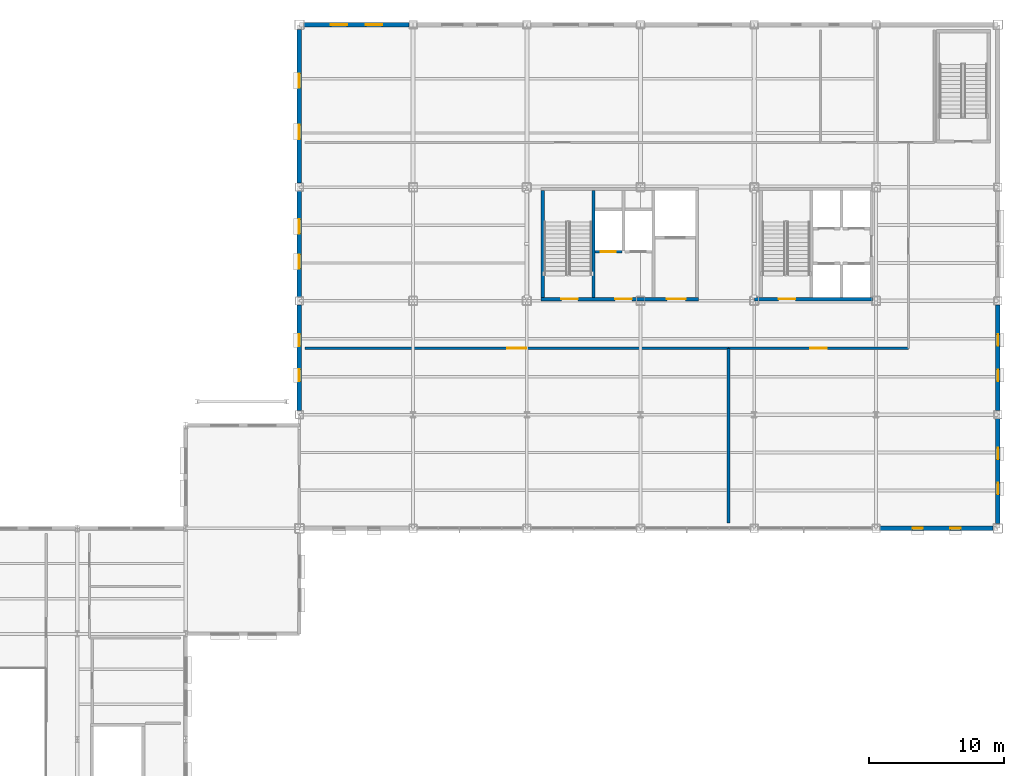
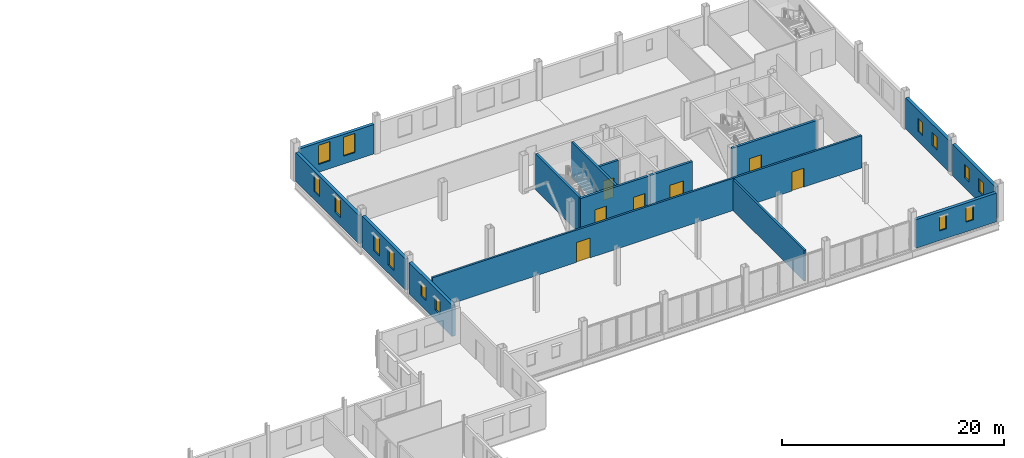
# One storey, part 38 of 45: 15 walls, 14 windows, 7 doors, 21 openings.
"""IFC4 building model written with IfcOpenShell, lengths in metres."""

from ifc_helpers import new_model, si_unit, direction, frame, frame_2d, origin, place, context, subcontext, project, spatial, rectangle, extrude, material, layer, layer_set, type_object, element, fill, save


model = new_model("IFC4")

# Units and contexts
model_context = context("Model", 3, precision=1e-05, world=origin(), true_north=direction((0.0, 1.0)))
body_context = subcontext(model_context, "Body", "Model", "MODEL_VIEW")
ifc_project = project(units=[si_unit("LENGTHUNIT", "METRE"), si_unit("AREAUNIT", "SQUARE_METRE"), si_unit("VOLUMEUNIT", "CUBIC_METRE"), si_unit("PLANEANGLEUNIT", "RADIAN"), si_unit("MASSUNIT", "GRAM", prefix="KILO")], contexts=[model_context])

# Site, building, storey
site_placement = place(None, origin())
site = spatial("IfcSite", under=ifc_project, at=site_placement, CompositionType="ELEMENT")
building_placement = place(site_placement, origin())
building = spatial("IfcBuilding", under=site, at=building_placement, Name="Yukiwa Park Conservatory and Herbarium", CompositionType="ELEMENT")
storey_placement = place(building_placement, frame((0.0, 0.0, 9.0)))
storey = spatial("IfcBuildingStorey", under=building, at=storey_placement, Name="L02", CompositionType="ELEMENT", Elevation=9.0)

# Wall
ifc_material_1 = material(Name="Concrete C40", Category="concrete")
ifc_layer_1 = layer(ifc_material_1, 0.219970703125)
ifc_layer_set_1 = layer_set([ifc_layer_1], Name="Concrete C40")
wall_type_1 = type_object("IfcWallType", Name="WL-CORE-RC220", PredefinedType="SHEAR", material=ifc_layer_set_1)
wall_1_placement = place(storey_placement, frame((138.110107421875, 95.050048828125, 0.0), z_axis=(0.0, 0.0, 1.0), x_axis=(0.0, 1.0, 0.0)))
element("IfcWall", 1, at=wall_1_placement, inside=storey, type_object=wall_type_1, Name="L02 core shear wall 245", PredefinedType="SHEAR", context=body_context, shape_type="SweptSolid", body=[
    extrude(rectangle(XDim=7.89990234375, YDim=0.219970703125, at=frame_2d((3.949951171875, 0.0))), origin(), (0.0, 0.0, 1.0), 3.93505859375),
])

# Wall, opening, door
wall_2_placement = place(storey_placement, frame((138.219970703125, 98.429931640625, 0.0), z_axis=(0.0, 0.0, 1.0), x_axis=(1.0, 0.0, 0.0)))
wall_2 = element("IfcWall", 2, at=wall_2_placement, inside=storey, type_object=wall_type_1, Name="L02 core shear wall 249", PredefinedType="SHEAR", context=body_context, shape_type="SweptSolid", body=[
    extrude(rectangle(XDim=2.0, YDim=0.219970703125, at=frame_2d((1.0, 0.0))), origin(), (0.0, 0.0, 1.0), 3.93505859375),
])
opening_1_placement = place(wall_2_placement, frame((0.449951171875, 0.0, 0.0)))
opening_1 = element("IfcOpeningElement", 3, at=opening_1_placement, cuts=wall_2, Name="Opening LD-01", PredefinedType="OPENING", context=body_context, shape_type="SweptSolid", body=[
    extrude(rectangle(XDim=1.10009765625, YDim=2.14990234375, at=frame_2d((0.550048828125, 1.074951171875))), frame((0.0, 0.1201171875, 0.0), z_axis=(0.0, -1.0, 0.0), x_axis=(1.0, 0.0, 0.0)), (0.0, 0.0, 1.0), 0.239990234375),
])
ifc_material_2 = material(Name="Steel Q235B", Category="steel")
door_type_1 = type_object("IfcDoorType", Name="DR-LIFT-LD1100", OperationType="SLIDING_TO_LEFT", PredefinedType="DOOR", material=ifc_material_2)
door_1_placement = place(opening_1_placement, origin())
door_1 = element("IfcDoor", 4, at=door_1_placement, inside=storey, type_object=door_type_1, Name="L02 Firefighting Lift FL1 sliding landing door", OperationType="SLIDING_TO_LEFT", OverallHeight=2.14990234375, OverallWidth=1.10009765625, PredefinedType="DOOR", context=body_context, shape_type="SweptSolid", body=[
    extrude(rectangle(XDim=1.10009765625, YDim=2.14990234375, at=frame_2d((0.550048828125, 1.074951171875))), frame((0.0, 0.02490234375, 0.0), z_axis=(0.0, -1.0, 0.0), x_axis=(1.0, 0.0, 0.0)), (0.0, 0.0, 1.0), 0.050048828125),
])
fill(opening_1, door_1)

# Wall, openings, doors
ifc_material_3 = material(Name="Concrete C50", Category="concrete")
ifc_layer_2 = layer(ifc_material_3, 0.239990234375)
ifc_layer_set_2 = layer_set([ifc_layer_2], Name="Concrete C50")
wall_type_2 = type_object("IfcWallType", Name="WL-CORE-RC240", PredefinedType="SHEAR", material=ifc_layer_set_2)
wall_3_placement = place(storey_placement, frame((134.25, 94.929931640625, 0.0), z_axis=(0.0, 0.0, 1.0), x_axis=(1.0, 0.0, 0.0)))
wall_3 = element("IfcWall", 5, at=wall_3_placement, inside=storey, type_object=wall_type_2, Name="L02 core shear wall 242", PredefinedType="SHEAR", context=body_context, shape_type="SweptSolid", body=[
    extrude(rectangle(XDim=11.64990234375, YDim=0.239990234375, at=frame_2d((5.824951171875, 0.0))), origin(), (0.0, 0.0, 1.0), 3.93505859375),
])
opening_2_placement = place(wall_3_placement, frame((1.5, 0.0, 0.0)))
opening_2 = element("IfcOpeningElement", 6, at=opening_2_placement, cuts=wall_3, Name="Opening SD-01", PredefinedType="OPENING", context=body_context, shape_type="SweptSolid", body=[
    extrude(rectangle(XDim=1.219970703125, YDim=2.179931640625, at=frame_2d((0.60986328125, 1.08984375))), frame((0.0, 0.1298828125, 0.0), z_axis=(0.0, -1.0, 0.0), x_axis=(1.0, 0.0, 0.0)), (0.0, 0.0, 1.0), 0.260009765625),
])
opening_3_placement = place(wall_3_placement, frame((5.47998046875, 0.0, 0.0)))
opening_3 = element("IfcOpeningElement", 7, at=opening_3_placement, cuts=wall_3, Name="Opening FD-02", PredefinedType="OPENING", context=body_context, shape_type="SweptSolid", body=[
    extrude(rectangle(XDim=1.239990234375, YDim=2.14990234375, at=frame_2d((0.6201171875, 1.074951171875))), frame((0.0, 0.1298828125, 0.0), z_axis=(0.0, -1.0, 0.0), x_axis=(1.0, 0.0, 0.0)), (0.0, 0.0, 1.0), 0.260009765625),
])
opening_4_placement = place(wall_3_placement, frame((9.300048828125, 0.0, 0.0)))
opening_4 = element("IfcOpeningElement", 8, at=opening_4_placement, cuts=wall_3, Name="Opening FD-06", PredefinedType="OPENING", context=body_context, shape_type="SweptSolid", body=[
    extrude(rectangle(XDim=1.3798828125, YDim=2.14990234375, at=frame_2d((0.68994140625, 1.074951171875))), frame((0.0, 0.1298828125, 0.0), z_axis=(0.0, -1.0, 0.0), x_axis=(1.0, 0.0, 0.0)), (0.0, 0.0, 1.0), 0.260009765625),
])
ifc_material_4 = material(Name="Steel Q235B", Category="steel")
door_type_2 = type_object("IfcDoorType", Name="DR-FIRE-FD60-1400", OperationType="DOUBLE_DOOR_SINGLE_SWING", PredefinedType="DOOR", material=ifc_material_4)
door_2_placement = place(opening_4_placement, frame((1.3798828125, 0.0, 0.0), z_axis=(0.0, 0.0, 1.0), x_axis=(-1.0, 0.0, 0.0)))
door_2 = element("IfcDoor", 9, at=door_2_placement, inside=storey, type_object=door_type_2, Name="L02 Goods Lift Lobby double fire door", OperationType="DOUBLE_DOOR_SINGLE_SWING", OverallHeight=2.14990234375, OverallWidth=1.3798828125, PredefinedType="DOOR", context=body_context, shape_type="SweptSolid", body=[
    extrude(rectangle(XDim=1.3798828125, YDim=2.14990234375, at=frame_2d((0.68994140625, 1.074951171875))), frame((0.0, 0.02490234375, 0.0), z_axis=(0.0, -1.0, 0.0), x_axis=(1.0, 0.0, 0.0)), (0.0, 0.0, 1.0), 0.050048828125),
])
fill(opening_4, door_2)
ifc_material_5 = material(Name="Steel Q235B", Category="steel")
door_type_3 = type_object("IfcDoorType", Name="DR-FIRE-FD90-1200", OperationType="SINGLE_SWING_RIGHT", PredefinedType="DOOR", material=ifc_material_5)
door_3_placement = place(opening_3_placement, frame((1.239990234375, 0.0, 0.0), z_axis=(0.0, 0.0, 1.0), x_axis=(-1.0, 0.0, 0.0)))
door_3 = element("IfcDoor", 10, at=door_3_placement, inside=storey, type_object=door_type_3, Name="L02 Firefighting Lift Lobby fire door", OperationType="SINGLE_SWING_RIGHT", OverallHeight=2.14990234375, OverallWidth=1.239990234375, PredefinedType="DOOR", context=body_context, shape_type="SweptSolid", body=[
    extrude(rectangle(XDim=1.239990234375, YDim=2.14990234375, at=frame_2d((0.6201171875, 1.074951171875))), frame((0.0, 0.02490234375, 0.0), z_axis=(0.0, -1.0, 0.0), x_axis=(1.0, 0.0, 0.0)), (0.0, 0.0, 1.0), 0.050048828125),
])
fill(opening_3, door_3)
ifc_material_6 = material(Name="Steel Q235B", Category="steel")
door_type_4 = type_object("IfcDoorType", Name="DR-STAIR-FD90-1200", OperationType="SINGLE_SWING_LEFT", PredefinedType="DOOR", material=ifc_material_6)
door_4_placement = place(opening_2_placement, origin())
door_4 = element("IfcDoor", 11, at=door_4_placement, inside=storey, type_object=door_type_4, Name="L02 Stairwell ST-T1 fire door", OperationType="SINGLE_SWING_LEFT", OverallHeight=2.179931640625, OverallWidth=1.219970703125, PredefinedType="DOOR", context=body_context, shape_type="SweptSolid", body=[
    extrude(rectangle(XDim=1.219970703125, YDim=2.179931640625, at=frame_2d((0.60986328125, 1.08984375))), frame((0.0, 0.02490234375, 0.0), z_axis=(0.0, -1.0, 0.0), x_axis=(1.0, 0.0, 0.0)), (0.0, 0.0, 1.0), 0.050048828125),
])
fill(opening_2, door_4)

# Wall
wall_4_placement = place(storey_placement, frame((134.3701171875, 95.050048828125, 0.0), z_axis=(0.0, 0.0, 1.0), x_axis=(0.0, 1.0, 0.0)))
element("IfcWall", 12, at=wall_4_placement, inside=storey, type_object=wall_type_2, Name="L02 core shear wall 244", PredefinedType="SHEAR", context=body_context, shape_type="SweptSolid", body=[
    extrude(rectangle(XDim=7.89990234375, YDim=0.239990234375, at=frame_2d((3.949951171875, 0.0))), origin(), (0.0, 0.0, 1.0), 3.93505859375),
])

# Wall, opening, door
wall_5_placement = place(storey_placement, frame((150.02001953125, 94.929931640625, 0.0), z_axis=(0.0, 0.0, 1.0), x_axis=(1.0, 0.0, 0.0)))
wall_5 = element("IfcWall", 13, at=wall_5_placement, inside=storey, type_object=wall_type_2, Name="L02 core shear wall 254", PredefinedType="SHEAR", context=body_context, shape_type="SweptSolid", body=[
    extrude(rectangle(XDim=8.77001953125, YDim=0.239990234375, at=frame_2d((4.385009765625, 0.0))), origin(), (0.0, 0.0, 1.0), 3.93505859375),
])
opening_5_placement = place(wall_5_placement, frame((1.7900390625, 0.0, 0.0)))
opening_5 = element("IfcOpeningElement", 14, at=opening_5_placement, cuts=wall_5, Name="Opening SD-01", PredefinedType="OPENING", context=body_context, shape_type="SweptSolid", body=[
    extrude(rectangle(XDim=1.219970703125, YDim=2.179931640625, at=frame_2d((0.60986328125, 1.08984375))), frame((0.0, 0.1298828125, 0.0), z_axis=(0.0, -1.0, 0.0), x_axis=(1.0, 0.0, 0.0)), (0.0, 0.0, 1.0), 0.260009765625),
])
door_5_placement = place(opening_5_placement, origin())
door_5 = element("IfcDoor", 15, at=door_5_placement, inside=storey, type_object=door_type_4, Name="L02 Stairwell ST-T2 fire door", OperationType="SINGLE_SWING_LEFT", OverallHeight=2.179931640625, OverallWidth=1.219970703125, PredefinedType="DOOR", context=body_context, shape_type="SweptSolid", body=[
    extrude(rectangle(XDim=1.219970703125, YDim=2.179931640625, at=frame_2d((0.60986328125, 1.08984375))), frame((0.0, 0.02490234375, 0.0), z_axis=(0.0, -1.0, 0.0), x_axis=(1.0, 0.0, 0.0)), (0.0, 0.0, 1.0), 0.050048828125),
])
fill(opening_5, door_5)

# Wall, openings, windows
ifc_material_7 = material(Name="Pale Granite Cladding", Category="masonry")
ifc_layer_3 = layer(ifc_material_7, 0.320068359375)
ifc_layer_set_3 = layer_set([ifc_layer_3], Name="Pale Granite Cladding")
wall_type_3 = type_object("IfcWallType", Name="WL-EXT-GRAN-320", PredefinedType="SOLIDWALL", material=ifc_layer_set_3)
wall_6_placement = place(storey_placement, frame((159.300048828125, 78.0, 0.0), z_axis=(0.0, 0.0, 1.0), x_axis=(1.0, 0.0, 0.0)))
wall_6 = element("IfcWall", 16, at=wall_6_placement, inside=storey, type_object=wall_type_3, Name="L02 exterior envelope wall 213", PredefinedType="SOLIDWALL", context=body_context, shape_type="SweptSolid", body=[
    extrude(rectangle(XDim=8.349853515625, YDim=0.320068359375, at=frame_2d((4.1748046875, 0.0))), origin(), (0.0, 0.0, 1.0), 3.14306640625),
])
opening_6_placement = place(wall_6_placement, frame((2.407958984375, 0.0, 1.050048828125)))
opening_6 = element("IfcOpeningElement", 17, at=opening_6_placement, cuts=wall_6, Name="Opening W-10", PredefinedType="OPENING", context=body_context, shape_type="SweptSolid", body=[
    extrude(rectangle(XDim=0.75, YDim=1.60009765625, at=frame_2d((0.375, 0.800048828125))), frame((0.0, 0.169921875, 0.0), z_axis=(0.0, -1.0, 0.0), x_axis=(1.0, 0.0, 0.0)), (0.0, 0.0, 1.0), 0.340087890625),
])
opening_7_placement = place(wall_6_placement, frame((5.19189453125, 0.0, 1.050048828125)))
opening_7 = element("IfcOpeningElement", 18, at=opening_7_placement, cuts=wall_6, Name="Opening W-10", PredefinedType="OPENING", context=body_context, shape_type="SweptSolid", body=[
    extrude(rectangle(XDim=0.75, YDim=1.60009765625, at=frame_2d((0.375, 0.800048828125))), frame((0.0, 0.169921875, 0.0), z_axis=(0.0, -1.0, 0.0), x_axis=(1.0, 0.0, 0.0)), (0.0, 0.0, 1.0), 0.340087890625),
])
ifc_material_8 = material(Name="Triple Low-E Insulated Glass", Category="glass")
window_type_1 = type_object("IfcWindowType", Name="WN-HB-0750X1600", PartitioningType="SINGLE_PANEL", PredefinedType="WINDOW", material=ifc_material_8)
window_1_placement = place(opening_6_placement, origin())
window_1 = element("IfcWindow", 19, at=window_1_placement, inside=storey, type_object=window_type_1, Name="L02 deep-reveal triple-glazed window 131", OverallHeight=1.60009765625, OverallWidth=0.75, PartitioningType="SINGLE_PANEL", PredefinedType="WINDOW", context=body_context, shape_type="SweptSolid", body=[
    extrude(rectangle(XDim=0.75, YDim=1.60009765625, at=frame_2d((0.375, 0.800048828125))), frame((0.0, 0.030029296875, 0.0), z_axis=(0.0, -1.0, 0.0), x_axis=(1.0, 0.0, 0.0)), (0.0, 0.0, 1.0), 0.06005859375),
])
fill(opening_6, window_1)
window_2_placement = place(opening_7_placement, origin())
window_2 = element("IfcWindow", 20, at=window_2_placement, inside=storey, type_object=window_type_1, Name="L02 deep-reveal triple-glazed window 132", OverallHeight=1.60009765625, OverallWidth=0.75, PartitioningType="SINGLE_PANEL", PredefinedType="WINDOW", context=body_context, shape_type="SweptSolid", body=[
    extrude(rectangle(XDim=0.75, YDim=1.60009765625, at=frame_2d((0.375, 0.800048828125))), frame((0.0, 0.030029296875, 0.0), z_axis=(0.0, -1.0, 0.0), x_axis=(1.0, 0.0, 0.0)), (0.0, 0.0, 1.0), 0.06005859375),
])
fill(opening_7, window_2)

wall_7_placement = place(storey_placement, frame((168.0, 78.35009765625, 0.0), z_axis=(0.0, 0.0, 1.0), x_axis=(0.0, 1.0, 0.0)))
wall_7 = element("IfcWall", 21, at=wall_7_placement, inside=storey, type_object=wall_type_3, Name="L02 exterior envelope wall 214", PredefinedType="SOLIDWALL", context=body_context, shape_type="SweptSolid", body=[
    extrude(rectangle(XDim=7.75, YDim=0.320068359375, at=frame_2d((3.875, 0.0))), origin(), (0.0, 0.0, 1.0), 3.43505859375),
])
opening_8_placement = place(wall_7_placement, frame((2.157958984375, 0.0, 1.10009765625)))
opening_8 = element("IfcOpeningElement", 22, at=opening_8_placement, cuts=wall_7, Name="Opening W-27", PredefinedType="OPENING", context=body_context, shape_type="SweptSolid", body=[
    extrude(rectangle(XDim=0.85009765625, YDim=1.449951171875, at=frame_2d((0.425048828125, 0.72509765625))), frame((0.0, 0.169921875, 0.0), z_axis=(0.0, -1.0, 0.0), x_axis=(1.0, 0.0, 0.0)), (0.0, 0.0, 1.0), 0.340087890625),
])
opening_9_placement = place(wall_7_placement, frame((4.741943359375, 0.0, 1.10009765625)))
opening_9 = element("IfcOpeningElement", 23, at=opening_9_placement, cuts=wall_7, Name="Opening W-27", PredefinedType="OPENING", context=body_context, shape_type="SweptSolid", body=[
    extrude(rectangle(XDim=0.85009765625, YDim=1.449951171875, at=frame_2d((0.425048828125, 0.72509765625))), frame((0.0, 0.169921875, 0.0), z_axis=(0.0, -1.0, 0.0), x_axis=(1.0, 0.0, 0.0)), (0.0, 0.0, 1.0), 0.340087890625),
])
ifc_material_9 = material(Name="Triple Low-E Insulated Glass", Category="glass")
window_type_2 = type_object("IfcWindowType", Name="WN-HB-0850X1450", PartitioningType="SINGLE_PANEL", PredefinedType="WINDOW", material=ifc_material_9)
window_3_placement = place(opening_8_placement, origin())
window_3 = element("IfcWindow", 24, at=window_3_placement, inside=storey, type_object=window_type_2, Name="L02 deep-reveal triple-glazed window 133", OverallHeight=1.449951171875, OverallWidth=0.85009765625, PartitioningType="SINGLE_PANEL", PredefinedType="WINDOW", context=body_context, shape_type="SweptSolid", body=[
    extrude(rectangle(XDim=0.85009765625, YDim=1.449951171875, at=frame_2d((0.425048828125, 0.72509765625))), frame((0.0, 0.030029296875, 0.0), z_axis=(0.0, -1.0, 0.0), x_axis=(1.0, 0.0, 0.0)), (0.0, 0.0, 1.0), 0.06005859375),
])
fill(opening_8, window_3)
window_4_placement = place(opening_9_placement, origin())
window_4 = element("IfcWindow", 25, at=window_4_placement, inside=storey, type_object=window_type_2, Name="L02 deep-reveal triple-glazed window 134", OverallHeight=1.449951171875, OverallWidth=0.85009765625, PartitioningType="SINGLE_PANEL", PredefinedType="WINDOW", context=body_context, shape_type="SweptSolid", body=[
    extrude(rectangle(XDim=0.85009765625, YDim=1.449951171875, at=frame_2d((0.425048828125, 0.72509765625))), frame((0.0, 0.030029296875, 0.0), z_axis=(0.0, -1.0, 0.0), x_axis=(1.0, 0.0, 0.0)), (0.0, 0.0, 1.0), 0.06005859375),
])
fill(opening_9, window_4)

wall_8_placement = place(storey_placement, frame((168.0, 86.699951171875, 0.0), z_axis=(0.0, 0.0, 1.0), x_axis=(0.0, 1.0, 0.0)))
wall_8 = element("IfcWall", 26, at=wall_8_placement, inside=storey, type_object=wall_type_3, Name="L02 exterior envelope wall 215", PredefinedType="SOLIDWALL", context=body_context, shape_type="SweptSolid", body=[
    extrude(rectangle(XDim=7.800048828125, YDim=0.320068359375, at=frame_2d((3.89990234375, 0.0))), origin(), (0.0, 0.0, 1.0), 3.43505859375),
])
opening_10_placement = place(wall_8_placement, frame((2.175048828125, 0.0, 1.10009765625)))
opening_10 = element("IfcOpeningElement", 27, at=opening_10_placement, cuts=wall_8, Name="Opening W-27", PredefinedType="OPENING", context=body_context, shape_type="SweptSolid", body=[
    extrude(rectangle(XDim=0.85009765625, YDim=1.449951171875, at=frame_2d((0.425048828125, 0.72509765625))), frame((0.0, 0.169921875, 0.0), z_axis=(0.0, -1.0, 0.0), x_axis=(1.0, 0.0, 0.0)), (0.0, 0.0, 1.0), 0.340087890625),
])
opening_11_placement = place(wall_8_placement, frame((4.77490234375, 0.0, 1.10009765625)))
opening_11 = element("IfcOpeningElement", 28, at=opening_11_placement, cuts=wall_8, Name="Opening W-27", PredefinedType="OPENING", context=body_context, shape_type="SweptSolid", body=[
    extrude(rectangle(XDim=0.85009765625, YDim=1.449951171875, at=frame_2d((0.425048828125, 0.72509765625))), frame((0.0, 0.169921875, 0.0), z_axis=(0.0, -1.0, 0.0), x_axis=(1.0, 0.0, 0.0)), (0.0, 0.0, 1.0), 0.340087890625),
])
window_5_placement = place(opening_10_placement, origin())
window_5 = element("IfcWindow", 29, at=window_5_placement, inside=storey, type_object=window_type_2, Name="L02 deep-reveal triple-glazed window 135", OverallHeight=1.449951171875, OverallWidth=0.85009765625, PartitioningType="SINGLE_PANEL", PredefinedType="WINDOW", context=body_context, shape_type="SweptSolid", body=[
    extrude(rectangle(XDim=0.85009765625, YDim=1.449951171875, at=frame_2d((0.425048828125, 0.72509765625))), frame((0.0, 0.030029296875, 0.0), z_axis=(0.0, -1.0, 0.0), x_axis=(1.0, 0.0, 0.0)), (0.0, 0.0, 1.0), 0.06005859375),
])
fill(opening_10, window_5)
window_6_placement = place(opening_11_placement, origin())
window_6 = element("IfcWindow", 30, at=window_6_placement, inside=storey, type_object=window_type_2, Name="L02 deep-reveal triple-glazed window 136", OverallHeight=1.449951171875, OverallWidth=0.85009765625, PartitioningType="SINGLE_PANEL", PredefinedType="WINDOW", context=body_context, shape_type="SweptSolid", body=[
    extrude(rectangle(XDim=0.85009765625, YDim=1.449951171875, at=frame_2d((0.425048828125, 0.72509765625))), frame((0.0, 0.030029296875, 0.0), z_axis=(0.0, -1.0, 0.0), x_axis=(1.0, 0.0, 0.0)), (0.0, 0.0, 1.0), 0.06005859375),
])
fill(opening_11, window_6)

wall_9_placement = place(storey_placement, frame((124.5, 115.199951171875, 0.0), z_axis=(0.0, 0.0, 1.0), x_axis=(-1.0, 0.0, 0.0)))
wall_9 = element("IfcWall", 31, at=wall_9_placement, inside=storey, type_object=wall_type_3, Name="L02 exterior envelope wall 223", PredefinedType="SOLIDWALL", context=body_context, shape_type="SweptSolid", body=[
    extrude(rectangle(XDim=7.75, YDim=0.320068359375, at=frame_2d((3.875, 0.0))), origin(), (0.0, 0.0, 1.0), 3.242919921875),
])
opening_12_placement = place(wall_9_placement, frame((1.98291015625, 0.0, 0.85009765625)))
opening_12 = element("IfcOpeningElement", 32, at=opening_12_placement, cuts=wall_9, Name="Opening W-03", PredefinedType="OPENING", context=body_context, shape_type="SweptSolid", body=[
    extrude(rectangle(XDim=1.199951171875, YDim=2.10009765625, at=frame_2d((0.60009765625, 1.050048828125))), frame((0.0, 0.169921875, 0.0), z_axis=(0.0, -1.0, 0.0), x_axis=(1.0, 0.0, 0.0)), (0.0, 0.0, 1.0), 0.340087890625),
])
opening_13_placement = place(wall_9_placement, frame((4.56689453125, 0.0, 0.85009765625)))
opening_13 = element("IfcOpeningElement", 33, at=opening_13_placement, cuts=wall_9, Name="Opening W-03", PredefinedType="OPENING", context=body_context, shape_type="SweptSolid", body=[
    extrude(rectangle(XDim=1.199951171875, YDim=2.10009765625, at=frame_2d((0.60009765625, 1.050048828125))), frame((0.0, 0.169921875, 0.0), z_axis=(0.0, -1.0, 0.0), x_axis=(1.0, 0.0, 0.0)), (0.0, 0.0, 1.0), 0.340087890625),
])
ifc_material_10 = material(Name="Triple Low-E Insulated Glass", Category="glass")
window_type_3 = type_object("IfcWindowType", Name="WN-TW-1200X2100", PartitioningType="SINGLE_PANEL", PredefinedType="WINDOW", material=ifc_material_10)
window_7_placement = place(opening_12_placement, origin())
window_7 = element("IfcWindow", 34, at=window_7_placement, inside=storey, type_object=window_type_3, Name="L02 deep-reveal triple-glazed window 146", OverallHeight=2.10009765625, OverallWidth=1.199951171875, PartitioningType="SINGLE_PANEL", PredefinedType="WINDOW", context=body_context, shape_type="SweptSolid", body=[
    extrude(rectangle(XDim=1.199951171875, YDim=2.10009765625, at=frame_2d((0.60009765625, 1.050048828125))), frame((0.0, 0.030029296875, 0.0), z_axis=(0.0, -1.0, 0.0), x_axis=(1.0, 0.0, 0.0)), (0.0, 0.0, 1.0), 0.06005859375),
])
fill(opening_12, window_7)
window_8_placement = place(opening_13_placement, origin())
window_8 = element("IfcWindow", 35, at=window_8_placement, inside=storey, type_object=window_type_3, Name="L02 deep-reveal triple-glazed window 147", OverallHeight=2.10009765625, OverallWidth=1.199951171875, PartitioningType="SINGLE_PANEL", PredefinedType="WINDOW", context=body_context, shape_type="SweptSolid", body=[
    extrude(rectangle(XDim=1.199951171875, YDim=2.10009765625, at=frame_2d((0.60009765625, 1.050048828125))), frame((0.0, 0.030029296875, 0.0), z_axis=(0.0, -1.0, 0.0), x_axis=(1.0, 0.0, 0.0)), (0.0, 0.0, 1.0), 0.06005859375),
])
fill(opening_13, window_8)

wall_10_placement = place(storey_placement, frame((116.39990234375, 114.85009765625, 0.0), z_axis=(0.0, 0.0, 1.0), x_axis=(0.0, -1.0, 0.0)))
wall_10 = element("IfcWall", 36, at=wall_10_placement, inside=storey, type_object=wall_type_3, Name="L02 exterior envelope wall 224", PredefinedType="SOLIDWALL", context=body_context, shape_type="SweptSolid", body=[
    extrude(rectangle(XDim=11.35009765625, YDim=0.320068359375, at=frame_2d((5.675048828125, 0.0))), origin(), (0.0, 0.0, 1.0), 3.14306640625),
])
opening_14_placement = place(wall_10_placement, frame((3.258056640625, 0.0, 0.89990234375)))
opening_14 = element("IfcOpeningElement", 37, at=opening_14_placement, cuts=wall_10, Name="Opening W-02", PredefinedType="OPENING", context=body_context, shape_type="SweptSolid", body=[
    extrude(rectangle(XDim=1.050048828125, YDim=1.949951171875, at=frame_2d((0.52490234375, 0.97509765625))), frame((0.0, 0.169921875, 0.0), z_axis=(0.0, -1.0, 0.0), x_axis=(1.0, 0.0, 0.0)), (0.0, 0.0, 1.0), 0.340087890625),
])
opening_15_placement = place(wall_10_placement, frame((7.0419921875, 0.0, 0.89990234375)))
opening_15 = element("IfcOpeningElement", 38, at=opening_15_placement, cuts=wall_10, Name="Opening W-02", PredefinedType="OPENING", context=body_context, shape_type="SweptSolid", body=[
    extrude(rectangle(XDim=1.050048828125, YDim=1.949951171875, at=frame_2d((0.52490234375, 0.97509765625))), frame((0.0, 0.169921875, 0.0), z_axis=(0.0, -1.0, 0.0), x_axis=(1.0, 0.0, 0.0)), (0.0, 0.0, 1.0), 0.340087890625),
])
ifc_material_11 = material(Name="Triple Low-E Insulated Glass", Category="glass")
window_type_4 = type_object("IfcWindowType", Name="WN-TW-1050X1950", PartitioningType="SINGLE_PANEL", PredefinedType="WINDOW", material=ifc_material_11)
window_9_placement = place(opening_14_placement, origin())
window_9 = element("IfcWindow", 39, at=window_9_placement, inside=storey, type_object=window_type_4, Name="L02 deep-reveal triple-glazed window 148", OverallHeight=1.949951171875, OverallWidth=1.050048828125, PartitioningType="SINGLE_PANEL", PredefinedType="WINDOW", context=body_context, shape_type="SweptSolid", body=[
    extrude(rectangle(XDim=1.050048828125, YDim=1.949951171875, at=frame_2d((0.52490234375, 0.97509765625))), frame((0.0, 0.030029296875, 0.0), z_axis=(0.0, -1.0, 0.0), x_axis=(1.0, 0.0, 0.0)), (0.0, 0.0, 1.0), 0.06005859375),
])
fill(opening_14, window_9)
window_10_placement = place(opening_15_placement, origin())
window_10 = element("IfcWindow", 40, at=window_10_placement, inside=storey, type_object=window_type_4, Name="L02 deep-reveal triple-glazed window 149", OverallHeight=1.949951171875, OverallWidth=1.050048828125, PartitioningType="SINGLE_PANEL", PredefinedType="WINDOW", context=body_context, shape_type="SweptSolid", body=[
    extrude(rectangle(XDim=1.050048828125, YDim=1.949951171875, at=frame_2d((0.52490234375, 0.97509765625))), frame((0.0, 0.030029296875, 0.0), z_axis=(0.0, -1.0, 0.0), x_axis=(1.0, 0.0, 0.0)), (0.0, 0.0, 1.0), 0.06005859375),
])
fill(opening_15, window_10)

wall_11_placement = place(storey_placement, frame((116.39990234375, 102.89990234375, 0.0), z_axis=(0.0, 0.0, 1.0), x_axis=(0.0, -1.0, 0.0)))
wall_11 = element("IfcWall", 41, at=wall_11_placement, inside=storey, type_object=wall_type_3, Name="L02 exterior envelope wall 225", PredefinedType="SOLIDWALL", context=body_context, shape_type="SweptSolid", body=[
    extrude(rectangle(XDim=7.7998046875, YDim=0.320068359375, at=frame_2d((3.89990234375, 0.0))), origin(), (0.0, 0.0, 1.0), 3.43505859375),
])
opening_16_placement = place(wall_11_placement, frame((2.074951171875, 0.0, 0.89990234375)))
opening_16 = element("IfcOpeningElement", 42, at=opening_16_placement, cuts=wall_11, Name="Opening W-02", PredefinedType="OPENING", context=body_context, shape_type="SweptSolid", body=[
    extrude(rectangle(XDim=1.050048828125, YDim=1.949951171875, at=frame_2d((0.52490234375, 0.97509765625))), frame((0.0, 0.169921875, 0.0), z_axis=(0.0, -1.0, 0.0), x_axis=(1.0, 0.0, 0.0)), (0.0, 0.0, 1.0), 0.340087890625),
])
opening_17_placement = place(wall_11_placement, frame((4.675048828125, 0.0, 0.89990234375)))
opening_17 = element("IfcOpeningElement", 43, at=opening_17_placement, cuts=wall_11, Name="Opening W-02", PredefinedType="OPENING", context=body_context, shape_type="SweptSolid", body=[
    extrude(rectangle(XDim=1.050048828125, YDim=1.949951171875, at=frame_2d((0.52490234375, 0.97509765625))), frame((0.0, 0.169921875, 0.0), z_axis=(0.0, -1.0, 0.0), x_axis=(1.0, 0.0, 0.0)), (0.0, 0.0, 1.0), 0.340087890625),
])
window_11_placement = place(opening_16_placement, origin())
window_11 = element("IfcWindow", 44, at=window_11_placement, inside=storey, type_object=window_type_4, Name="L02 deep-reveal triple-glazed window 150", OverallHeight=1.949951171875, OverallWidth=1.050048828125, PartitioningType="SINGLE_PANEL", PredefinedType="WINDOW", context=body_context, shape_type="SweptSolid", body=[
    extrude(rectangle(XDim=1.050048828125, YDim=1.949951171875, at=frame_2d((0.52490234375, 0.97509765625))), frame((0.0, 0.030029296875, 0.0), z_axis=(0.0, -1.0, 0.0), x_axis=(1.0, 0.0, 0.0)), (0.0, 0.0, 1.0), 0.06005859375),
])
fill(opening_16, window_11)
window_12_placement = place(opening_17_placement, origin())
window_12 = element("IfcWindow", 45, at=window_12_placement, inside=storey, type_object=window_type_4, Name="L02 deep-reveal triple-glazed window 151", OverallHeight=1.949951171875, OverallWidth=1.050048828125, PartitioningType="SINGLE_PANEL", PredefinedType="WINDOW", context=body_context, shape_type="SweptSolid", body=[
    extrude(rectangle(XDim=1.050048828125, YDim=1.949951171875, at=frame_2d((0.52490234375, 0.97509765625))), frame((0.0, 0.030029296875, 0.0), z_axis=(0.0, -1.0, 0.0), x_axis=(1.0, 0.0, 0.0)), (0.0, 0.0, 1.0), 0.06005859375),
])
fill(opening_17, window_12)

wall_12_placement = place(storey_placement, frame((116.39990234375, 94.5, 0.0), z_axis=(0.0, 0.0, 1.0), x_axis=(0.0, -1.0, 0.0)))
wall_12 = element("IfcWall", 46, at=wall_12_placement, inside=storey, type_object=wall_type_3, Name="L02 exterior envelope wall 226", PredefinedType="SOLIDWALL", context=body_context, shape_type="SweptSolid", body=[
    extrude(rectangle(XDim=7.800048828125, YDim=0.320068359375, at=frame_2d((3.89990234375, 0.0))), origin(), (0.0, 0.0, 1.0), 3.43505859375),
])
opening_18_placement = place(wall_12_placement, frame((2.14990234375, 0.0, 1.10009765625)))
opening_18 = element("IfcOpeningElement", 47, at=opening_18_placement, cuts=wall_12, Name="Opening W-11", PredefinedType="OPENING", context=body_context, shape_type="SweptSolid", body=[
    extrude(rectangle(XDim=0.89990234375, YDim=1.5, at=frame_2d((0.449951171875, 0.75))), frame((0.0, 0.169921875, 0.0), z_axis=(0.0, -1.0, 0.0), x_axis=(1.0, 0.0, 0.0)), (0.0, 0.0, 1.0), 0.340087890625),
])
opening_19_placement = place(wall_12_placement, frame((4.75, 0.0, 1.10009765625)))
opening_19 = element("IfcOpeningElement", 48, at=opening_19_placement, cuts=wall_12, Name="Opening W-11", PredefinedType="OPENING", context=body_context, shape_type="SweptSolid", body=[
    extrude(rectangle(XDim=0.89990234375, YDim=1.5, at=frame_2d((0.449951171875, 0.75))), frame((0.0, 0.169921875, 0.0), z_axis=(0.0, -1.0, 0.0), x_axis=(1.0, 0.0, 0.0)), (0.0, 0.0, 1.0), 0.340087890625),
])
ifc_material_12 = material(Name="Triple Low-E Insulated Glass", Category="glass")
window_type_5 = type_object("IfcWindowType", Name="WN-HB-0900X1500", PartitioningType="SINGLE_PANEL", PredefinedType="WINDOW", material=ifc_material_12)
window_13_placement = place(opening_18_placement, origin())
window_13 = element("IfcWindow", 49, at=window_13_placement, inside=storey, type_object=window_type_5, Name="L02 deep-reveal triple-glazed window 152", OverallHeight=1.5, OverallWidth=0.89990234375, PartitioningType="SINGLE_PANEL", PredefinedType="WINDOW", context=body_context, shape_type="SweptSolid", body=[
    extrude(rectangle(XDim=0.89990234375, YDim=1.5, at=frame_2d((0.449951171875, 0.75))), frame((0.0, 0.030029296875, 0.0), z_axis=(0.0, -1.0, 0.0), x_axis=(1.0, 0.0, 0.0)), (0.0, 0.0, 1.0), 0.06005859375),
])
fill(opening_18, window_13)
window_14_placement = place(opening_19_placement, origin())
window_14 = element("IfcWindow", 50, at=window_14_placement, inside=storey, type_object=window_type_5, Name="L02 deep-reveal triple-glazed window 153", OverallHeight=1.5, OverallWidth=0.89990234375, PartitioningType="SINGLE_PANEL", PredefinedType="WINDOW", context=body_context, shape_type="SweptSolid", body=[
    extrude(rectangle(XDim=0.89990234375, YDim=1.5, at=frame_2d((0.449951171875, 0.75))), frame((0.0, 0.030029296875, 0.0), z_axis=(0.0, -1.0, 0.0), x_axis=(1.0, 0.0, 0.0)), (0.0, 0.0, 1.0), 0.06005859375),
])
fill(opening_19, window_14)

# Wall, opening, door
ifc_material_13 = material(Name="Gypsum Board Partition", Category="gypsum")
ifc_layer_4 = layer(ifc_material_13, 0.199951171875)
ifc_layer_set_4 = layer_set([ifc_layer_4], Name="Gypsum Board Partition")
wall_type_4 = type_object("IfcWallType", Name="WL-PART-FIRE-200", PredefinedType="SOLIDWALL", material=ifc_layer_set_4)
wall_13_placement = place(storey_placement, frame((116.800048828125, 91.300048828125, 0.0), z_axis=(0.0, 0.0, 1.0), x_axis=(1.0, 0.0, 0.0)))
wall_13 = element("IfcWall", 51, at=wall_13_placement, inside=storey, type_object=wall_type_4, Name="L02 interior partition wall 290", PredefinedType="SOLIDWALL", context=body_context, shape_type="SweptSolid", body=[
    extrude(rectangle(XDim=31.300048828125, YDim=0.199951171875, at=frame_2d((15.64990234375, 0.0))), origin(), (0.0, 0.0, 1.0), 3.544921875),
])
opening_20_placement = place(wall_13_placement, frame((14.949951171875, 0.0, 0.0)))
opening_20 = element("IfcOpeningElement", 52, at=opening_20_placement, cuts=wall_13, Name="Opening FD-03", PredefinedType="OPENING", context=body_context, shape_type="SweptSolid", body=[
    extrude(rectangle(XDim=1.419921875, YDim=2.179931640625, at=frame_2d((0.7099609375, 1.08984375))), frame((0.0, 0.10986328125, 0.0), z_axis=(0.0, -1.0, 0.0), x_axis=(1.0, 0.0, 0.0)), (0.0, 0.0, 1.0), 0.219970703125),
])
ifc_material_14 = material(Name="Steel Q235B", Category="steel")
door_type_5 = type_object("IfcDoorType", Name="DR-FIRE-FD90-1400", OperationType="DOUBLE_DOOR_SINGLE_SWING", PredefinedType="DOOR", material=ifc_material_14)
door_6_placement = place(opening_20_placement, origin())
door_6 = element("IfcDoor", 53, at=door_6_placement, inside=storey, type_object=door_type_5, Name="L02 Bryophyte Herbarium Vault fire door", OperationType="DOUBLE_DOOR_SINGLE_SWING", OverallHeight=2.179931640625, OverallWidth=1.419921875, PredefinedType="DOOR", context=body_context, shape_type="SweptSolid", body=[
    extrude(rectangle(XDim=1.419921875, YDim=2.179931640625, at=frame_2d((0.7099609375, 1.08984375))), frame((0.0, 0.02490234375, 0.0), z_axis=(0.0, -1.0, 0.0), x_axis=(1.0, 0.0, 0.0)), (0.0, 0.0, 1.0), 0.050048828125),
])
fill(opening_20, door_6)

wall_14_placement = place(storey_placement, frame((148.10009765625, 91.300048828125, 0.0), z_axis=(0.0, 0.0, 1.0), x_axis=(1.0, 0.0, 0.0)))
wall_14 = element("IfcWall", 54, at=wall_14_placement, inside=storey, type_object=wall_type_4, Name="L02 interior partition wall 291", PredefinedType="SOLIDWALL", context=body_context, shape_type="SweptSolid", body=[
    extrude(rectangle(XDim=13.2998046875, YDim=0.199951171875, at=frame_2d((6.64990234375, 0.0))), origin(), (0.0, 0.0, 1.0), 3.544921875),
])
opening_21_placement = place(wall_14_placement, frame((6.050048828125, 0.0, 0.0)))
opening_21 = element("IfcOpeningElement", 55, at=opening_21_placement, cuts=wall_14, Name="Opening ID-12", PredefinedType="OPENING", context=body_context, shape_type="SweptSolid", body=[
    extrude(rectangle(XDim=1.199951171875, YDim=2.080078125, at=frame_2d((0.60009765625, 1.0400390625))), frame((0.0, 0.10986328125, 0.0), z_axis=(0.0, -1.0, 0.0), x_axis=(1.0, 0.0, 0.0)), (0.0, 0.0, 1.0), 0.219970703125),
])
ifc_material_15 = material(Name="Charred Larch Cladding", Category="wood")
door_type_6 = type_object("IfcDoorType", Name="DR-INT-1200", OperationType="SINGLE_SWING_LEFT", PredefinedType="DOOR", material=ifc_material_15)
door_7_placement = place(opening_21_placement, origin())
door_7 = element("IfcDoor", 56, at=door_7_placement, inside=storey, type_object=door_type_6, Name="L02 Drying Room door", OperationType="SINGLE_SWING_LEFT", OverallHeight=2.080078125, OverallWidth=1.199951171875, PredefinedType="DOOR", context=body_context, shape_type="SweptSolid", body=[
    extrude(rectangle(XDim=1.199951171875, YDim=2.080078125, at=frame_2d((0.60009765625, 1.0400390625))), frame((0.0, 0.02490234375, 0.0), z_axis=(0.0, -1.0, 0.0), x_axis=(1.0, 0.0, 0.0)), (0.0, 0.0, 1.0), 0.050048828125),
])
fill(opening_21, door_7)

# Wall
wall_15_placement = place(storey_placement, frame((148.10009765625, 78.39990234375, 0.0), z_axis=(0.0, 0.0, 1.0), x_axis=(0.0, 1.0, 0.0)))
element("IfcWall", 57, at=wall_15_placement, inside=storey, type_object=wall_type_4, Name="L02 interior partition wall 292", PredefinedType="SOLIDWALL", context=body_context, shape_type="SweptSolid", body=[
    extrude(rectangle(XDim=12.900146484375, YDim=0.199951171875, at=frame_2d((6.4501953125, 0.0))), origin(), (0.0, 0.0, 1.0), 3.385009765625),
])

save(model, "model.ifc")
